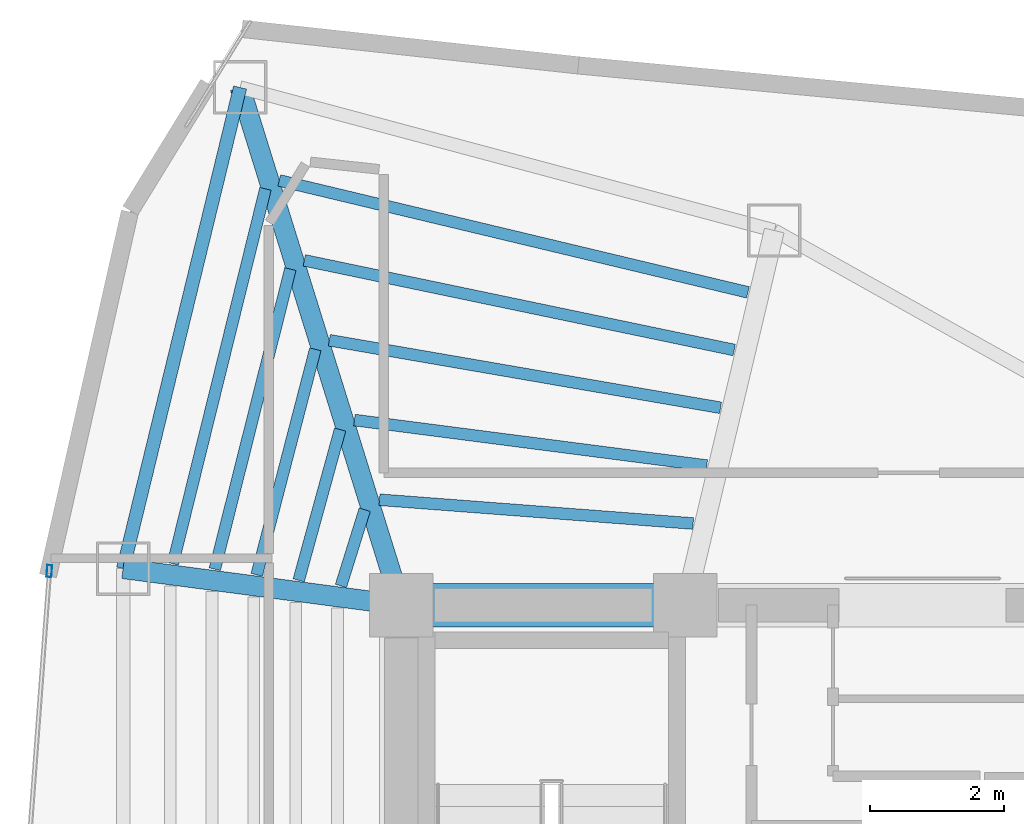
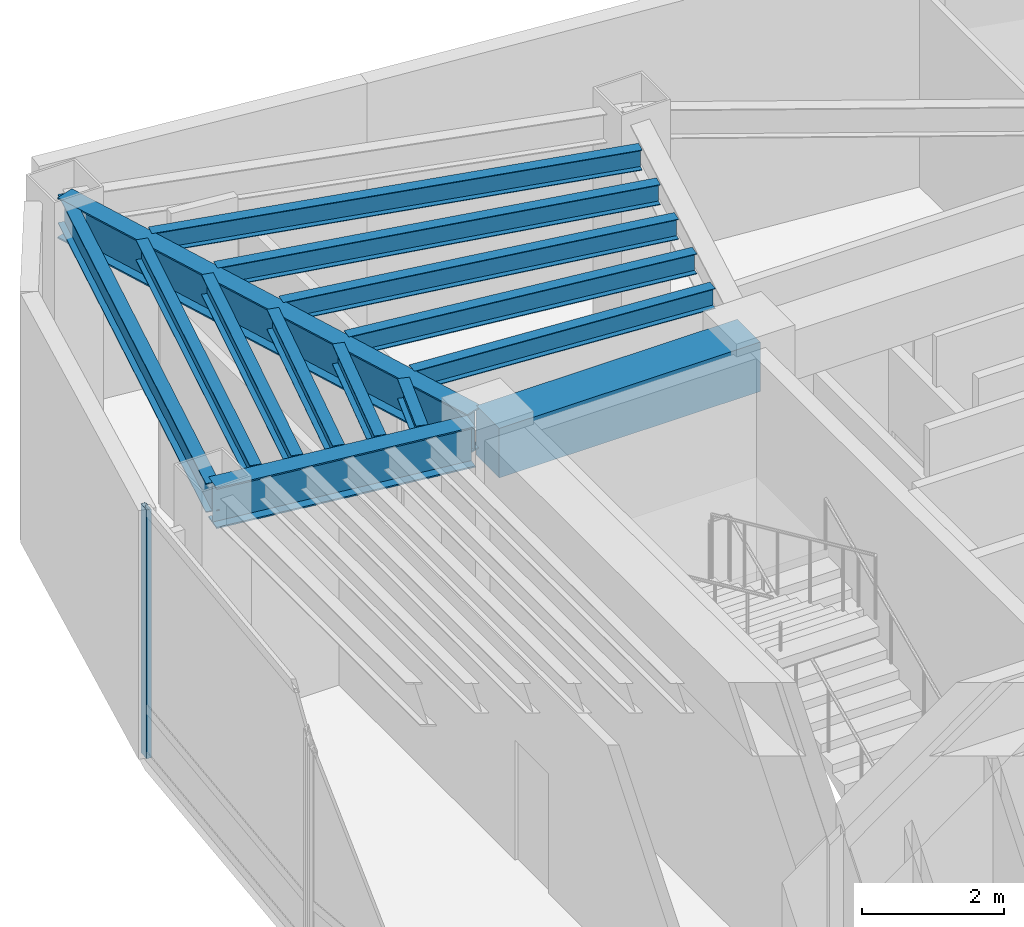
# One storey, part 8 of 17: 14 beams, 1 member, 1 element without a shape of its own.
"""IFC4 building model written with IfcOpenShell, lengths in metres."""

from ifc_helpers import new_model, si_unit, direction, frame, origin, origin_2d, place, context, subcontext, project, spatial, rectangle, hollow_rectangle, i_section, extrude, material, layer, layer_set, material_profile, profile_set, type_object, element, aggregate, save


model = new_model("IFC4")

# Units and contexts
model_context = context("Model", 3, precision=1e-05, world=origin(), true_north=direction((0.0, 1.0)))
body_context = subcontext(model_context, "Body", "Model", "MODEL_VIEW")
ifc_project = project(units=[si_unit("LENGTHUNIT", "METRE"), si_unit("AREAUNIT", "SQUARE_METRE"), si_unit("VOLUMEUNIT", "CUBIC_METRE"), si_unit("PLANEANGLEUNIT", "RADIAN"), si_unit("MASSUNIT", "GRAM", prefix="KILO")], contexts=[model_context])

# Site, building, storey
site_placement = place(None, origin())
site = spatial("IfcSite", under=ifc_project, at=site_placement, CompositionType="ELEMENT")
building_placement = place(site_placement, origin())
building = spatial("IfcBuilding", under=site, at=building_placement, Name="Menara Vayukalpa", CompositionType="ELEMENT")
storey_placement = place(building_placement, frame((0.0, 0.0, 242.639892578125)))
storey = spatial("IfcBuildingStorey", under=building, at=storey_placement, Name="L61", CompositionType="ELEMENT", Elevation=242.639892578125)

# Beams
ifc_material_1 = material(Name="Concrete C60/75", Category="concrete")
ifc_material_profile_1 = material_profile(ifc_material_1, rectangle(XDim=0.64990234375, YDim=0.85009765625, at=origin_2d()), Name="RC 650x850")
ifc_profile_set_1 = profile_set([ifc_material_profile_1], Name="Concrete C60/75")
beam_type_1 = type_object("IfcBeamType", Name="BM-CB1", PredefinedType="BEAM", material=ifc_profile_set_1)
beam_1_placement = place(storey_placement, frame((17.800048828125, 26.800048828125, 3.855224609375), z_axis=(1.0, 0.0, 0.0), x_axis=(0.0, 1.0, 0.0)))
element("IfcBeam", 1, at=beam_1_placement, inside=storey, type_object=beam_type_1, Name="L61 Core Tie Beam CBR4", PredefinedType="BEAM", context=body_context, shape_type="SweptSolid", body=[
    extrude(rectangle(XDim=0.64990234375, YDim=0.85009765625, at=origin_2d()), origin(), (0.0, 0.0, 1.0), 4.25),
])
ifc_material_2 = material(Name="Steel S355", Category="steel")
ifc_material_profile_2 = material_profile(ifc_material_2, i_section(OverallWidth=0.300048828125, OverallDepth=0.699951171875, WebThickness=0.012939453125, FlangeThickness=0.02392578125, at=origin_2d()), Name="WF 700x300x13x24")
ifc_profile_set_2 = profile_set([ifc_material_profile_2], Name="Steel S355")
beam_type_2 = type_object("IfcBeamType", Name="BM-PG5", PredefinedType="BEAM", material=ifc_profile_set_2)
beam_2_placement = place(storey_placement, frame((17.7255859375, 27.038818359375, 3.93017578125), z_axis=(-0.297213792842, 0.954810955815, 0.0), x_axis=(-0.954810955815, -0.297213792842, 0.0)))
element("IfcBeam", 2, at=beam_2_placement, inside=storey, type_object=beam_type_2, Name="L61 Primary Radial Girder RG04", PredefinedType="BEAM", context=body_context, shape_type="SweptSolid", body=[
    extrude(i_section(OverallWidth=0.300048828125, OverallDepth=0.699951171875, WebThickness=0.012939453125, FlangeThickness=0.02392578125, at=origin_2d()), origin(), (0.0, 0.0, 1.0), 7.861083984375),
])
beam_3_placement = place(storey_placement, frame((17.552001953125, 26.83251953125, 3.93017578125), z_axis=(-0.991477860763, 0.130275291662, 0.0), x_axis=(-0.130275291662, -0.991477860763, 0.0)))
element("IfcBeam", 3, at=beam_3_placement, inside=storey, type_object=beam_type_2, Name="L61 Primary Radial Girder RG05", PredefinedType="BEAM", context=body_context, shape_type="SweptSolid", body=[
    extrude(i_section(OverallWidth=0.300048828125, OverallDepth=0.699951171875, WebThickness=0.012939453125, FlangeThickness=0.02392578125, at=origin_2d()), origin(), (0.0, 0.0, 1.0), 3.94677734375),
])
ifc_material_3 = material(Name="Steel S355", Category="steel")
ifc_material_profile_3 = material_profile(ifc_material_3, i_section(OverallWidth=0.175048828125, OverallDepth=0.35009765625, WebThickness=0.007080078125, FlangeThickness=0.010986328125, at=origin_2d()), Name="WF 350x175x7x11")
ifc_profile_set_3 = profile_set([ifc_material_profile_3], Name="Steel S355")
beam_type_3 = type_object("IfcBeamType", Name="BM-SJ3", PredefinedType="JOIST", material=ifc_profile_set_3)
beam_4_placement = place(storey_placement, frame((22.16748046875, 28.02099609375, 4.105224609375), z_axis=(-0.997135697669, 0.075633328852, 0.0), x_axis=(-0.075633328852, -0.997135697669, 0.0)))
element("IfcBeam", 4, at=beam_4_placement, inside=storey, type_object=beam_type_3, Name="L61 Secondary Floor Joist SJ03-1", PredefinedType="JOIST", context=body_context, shape_type="SweptSolid", body=[
    extrude(i_section(OverallWidth=0.175048828125, OverallDepth=0.35009765625, WebThickness=0.007080078125, FlangeThickness=0.010986328125, at=origin_2d()), origin(), (0.0, 0.0, 1.0), 4.706298828125),
])
beam_5_placement = place(storey_placement, frame((22.372314453125, 28.887939453125, 4.105224609375), z_axis=(-0.991763759233, 0.128080622546, 0.0), x_axis=(-0.128080622546, -0.991763759233, 0.0)))
element("IfcBeam", 5, at=beam_5_placement, inside=storey, type_object=beam_type_3, Name="L61 Secondary Floor Joist SJ03-2", PredefinedType="JOIST", context=body_context, shape_type="SweptSolid", body=[
    extrude(i_section(OverallWidth=0.175048828125, OverallDepth=0.35009765625, WebThickness=0.007080078125, FlangeThickness=0.010986328125, at=origin_2d()), origin(), (0.0, 0.0, 1.0), 5.316162109375),
])
beam_6_placement = place(storey_placement, frame((22.577392578125, 29.7529296875, 4.105224609375), z_axis=(-0.985440172071, 0.170022549294, 0.0), x_axis=(-0.170022549294, -0.985440172071, 0.0)))
element("IfcBeam", 6, at=beam_6_placement, inside=storey, type_object=beam_type_3, Name="L61 Secondary Floor Joist SJ03-3", PredefinedType="JOIST", context=body_context, shape_type="SweptSolid", body=[
    extrude(i_section(OverallWidth=0.175048828125, OverallDepth=0.35009765625, WebThickness=0.007080078125, FlangeThickness=0.010986328125, at=origin_2d()), origin(), (0.0, 0.0, 1.0), 5.93896484375),
])
beam_7_placement = place(storey_placement, frame((22.7822265625, 30.61669921875, 4.105224609375), z_axis=(-0.978941451827, 0.204141210671, 0.0), x_axis=(-0.204141210671, -0.978941451827, 0.0)))
element("IfcBeam", 7, at=beam_7_placement, inside=storey, type_object=beam_type_3, Name="L61 Secondary Floor Joist SJ03-4", PredefinedType="JOIST", context=body_context, shape_type="SweptSolid", body=[
    extrude(i_section(OverallWidth=0.175048828125, OverallDepth=0.35009765625, WebThickness=0.007080078125, FlangeThickness=0.010986328125, at=origin_2d()), origin(), (0.0, 0.0, 1.0), 6.570556640625),
])
beam_8_placement = place(storey_placement, frame((22.9873046875, 31.479248046875, 4.105224609375), z_axis=(-0.972642465748, 0.232307197097, 0.0), x_axis=(-0.232307197097, -0.972642465748, 0.0)))
element("IfcBeam", 8, at=beam_8_placement, inside=storey, type_object=beam_type_3, Name="L61 Secondary Floor Joist SJ03-5", PredefinedType="JOIST", context=body_context, shape_type="SweptSolid", body=[
    extrude(i_section(OverallWidth=0.175048828125, OverallDepth=0.35009765625, WebThickness=0.007080078125, FlangeThickness=0.010986328125, at=origin_2d()), origin(), (0.0, 0.0, 1.0), 7.20947265625),
])
beam_9_placement = place(storey_placement, frame((17.25439453125, 28.2275390625, 4.105224609375), z_axis=(-0.298018933644, -0.954559958929, 0.0), x_axis=(0.954559958929, -0.298018933644, 0.0)))
element("IfcBeam", 9, at=beam_9_placement, inside=storey, type_object=beam_type_3, Name="L61 Secondary Floor Joist SJ04-1", PredefinedType="JOIST", context=body_context, shape_type="SweptSolid", body=[
    extrude(i_section(OverallWidth=0.175048828125, OverallDepth=0.35009765625, WebThickness=0.007080078125, FlangeThickness=0.010986328125, at=origin_2d()), origin(), (0.0, 0.0, 1.0), 1.1943359375),
])
beam_10_placement = place(storey_placement, frame((16.88623046875, 29.4267578125, 4.105224609375), z_axis=(-0.264918721837, -0.9642707456, 0.0), x_axis=(0.9642707456, -0.264918721837, 0.0)))
element("IfcBeam", 10, at=beam_10_placement, inside=storey, type_object=beam_type_3, Name="L61 Secondary Floor Joist SJ04-2", PredefinedType="JOIST", context=body_context, shape_type="SweptSolid", body=[
    extrude(i_section(OverallWidth=0.175048828125, OverallDepth=0.35009765625, WebThickness=0.007080078125, FlangeThickness=0.010986328125, at=origin_2d()), origin(), (0.0, 0.0, 1.0), 2.3388671875),
])
beam_11_placement = place(storey_placement, frame((16.5146484375, 30.627197265625, 4.105224609375), z_axis=(-0.251492114719, -0.96785934734, 0.0), x_axis=(0.96785934734, -0.251492114719, 0.0)))
element("IfcBeam", 11, at=beam_11_placement, inside=storey, type_object=beam_type_3, Name="L61 Secondary Floor Joist SJ04-3", PredefinedType="JOIST", context=body_context, shape_type="SweptSolid", body=[
    extrude(i_section(OverallWidth=0.175048828125, OverallDepth=0.35009765625, WebThickness=0.007080078125, FlangeThickness=0.010986328125, at=origin_2d()), origin(), (0.0, 0.0, 1.0), 3.485107421875),
])
beam_12_placement = place(storey_placement, frame((16.14208984375, 31.82763671875, 4.105224609375), z_axis=(-0.244247063973, -0.969713035769, 0.0), x_axis=(0.969713035769, -0.244247063973, 0.0)))
element("IfcBeam", 12, at=beam_12_placement, inside=storey, type_object=beam_type_3, Name="L61 Secondary Floor Joist SJ04-4", PredefinedType="JOIST", context=body_context, shape_type="SweptSolid", body=[
    extrude(i_section(OverallWidth=0.175048828125, OverallDepth=0.35009765625, WebThickness=0.007080078125, FlangeThickness=0.010986328125, at=origin_2d()), origin(), (0.0, 0.0, 1.0), 4.630859375),
])
beam_13_placement = place(storey_placement, frame((15.768798828125, 33.028564453125, 4.105224609375), z_axis=(-0.239671161383, -0.970854126222, 0.0), x_axis=(0.970854126222, -0.239671161383, 0.0)))
element("IfcBeam", 13, at=beam_13_placement, inside=storey, type_object=beam_type_3, Name="L61 Secondary Floor Joist SJ04-5", PredefinedType="JOIST", context=body_context, shape_type="SweptSolid", body=[
    extrude(i_section(OverallWidth=0.175048828125, OverallDepth=0.35009765625, WebThickness=0.007080078125, FlangeThickness=0.010986328125, at=origin_2d()), origin(), (0.0, 0.0, 1.0), 5.77783203125),
])
ifc_material_4 = material(Name="Steel S355", Category="steel")
ifc_material_profile_4 = material_profile(ifc_material_4, i_section(OverallWidth=0.199951171875, OverallDepth=0.5, WebThickness=0.010009765625, FlangeThickness=0.01611328125, at=origin_2d()), Name="WF 500x200x10x16")
ifc_profile_set_4 = profile_set([ifc_material_profile_4], Name="Steel S355")
beam_type_4 = type_object("IfcBeamType", Name="BM-SP3", PredefinedType="SPANDREL", material=ifc_profile_set_4)
beam_14_placement = place(storey_placement, frame((15.38916015625, 34.544677734375, 4.030029296875), z_axis=(-0.236272525754, -0.97168682896, 0.0), x_axis=(0.97168682896, -0.236272525754, 0.0)))
element("IfcBeam", 14, at=beam_14_placement, inside=storey, type_object=beam_type_4, Name="L61 Perimeter Spandrel Beam SP04", PredefinedType="SPANDREL", context=body_context, shape_type="SweptSolid", body=[
    extrude(i_section(OverallWidth=0.199951171875, OverallDepth=0.5, WebThickness=0.010009765625, FlangeThickness=0.01611328125, at=origin_2d()), origin(), (0.0, 0.0, 1.0), 7.40771484375),
])

# Curtain wall, member
ifc_material_5 = material(Name="Anodised Terracotta Aluminium Alloy 6063-T6", Category="masonry")
ifc_layer = layer(ifc_material_5, 0.179931640625)
ifc_layer_set = layer_set([ifc_layer], Name="Anodised Terracotta Aluminium Alloy 6063-T6")
curtain_wall_type = type_object("IfcCurtainWallType", Name="CW-CW4", PredefinedType="USERDEFINED", material=ifc_layer_set)
curtain_wall_placement = place(storey_placement, origin())
curtain_wall = element("IfcCurtainWall", 15, at=curtain_wall_placement, inside=storey, type_object=curtain_wall_type, Name="L61 Sky Bar Cantilever Glazed Curtain Wall CW4 10", ObjectType="UNITISED", PredefinedType="USERDEFINED")
ifc_material_6 = material(Name="Anodised Terracotta Aluminium Alloy 6063-T6", Category="masonry")
ifc_material_profile_5 = material_profile(ifc_material_6, hollow_rectangle(XDim=0.074951171875, YDim=0.179931640625, WallThickness=0.00390625, at=origin_2d()), Name="ALU 75x180x4")
ifc_profile_set_5 = profile_set([ifc_material_profile_5], Name="Anodised Terracotta Aluminium Alloy 6063-T6")
member_type = type_object("IfcMemberType", Name="CWM-CW4", PredefinedType="MULLION", material=ifc_profile_set_5)
member_placement = place(storey_placement, frame((12.5361328125, 27.309326171875, 0.0), z_axis=(0.0, 0.0, 1.0), x_axis=(0.997199344663, -0.074789484574, 0.0)))
member = element("IfcMember", 16, at=member_placement, type_object=member_type, Name="CW4 mullion 1", PredefinedType="MULLION", context=body_context, shape_type="SweptSolid", body=[
    extrude(hollow_rectangle(XDim=0.074951171875, YDim=0.179931640625, WallThickness=0.00390625, at=origin_2d()), origin(), (0.0, 0.0, 1.0), 4.280029296875),
])
aggregate(curtain_wall, [member])

save(model, "model.ifc")
